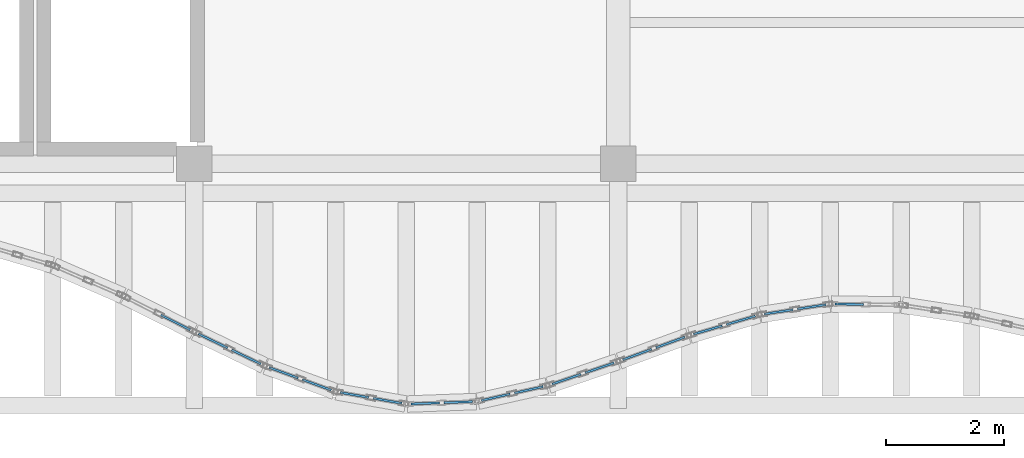
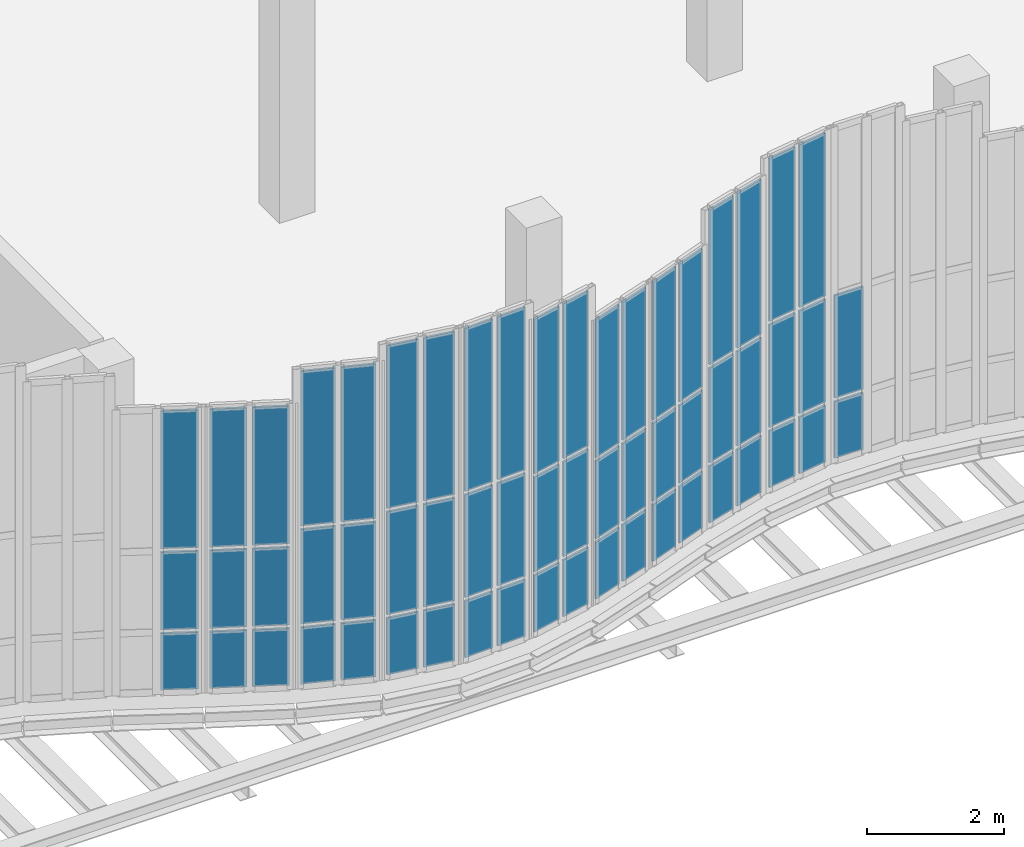
# One storey, part 54 of 76: 59 plates, 11 elements without a shape of their own.
"""IFC4 building model written with IfcOpenShell, lengths in metres."""

from ifc_helpers import new_model, si_unit, direction, frame, origin, origin_2d, place, context, subcontext, project, spatial, rectangle, extrude, material, layer, layer_set, type_object, element, aggregate, save


model = new_model("IFC4")

# Units and contexts
model_context = context("Model", 3, precision=1e-05, world=origin(), true_north=direction((0.0, 1.0)))
body_context = subcontext(model_context, "Body", "Model", "MODEL_VIEW")
ifc_project = project(units=[si_unit("LENGTHUNIT", "METRE"), si_unit("AREAUNIT", "SQUARE_METRE"), si_unit("VOLUMEUNIT", "CUBIC_METRE"), si_unit("PLANEANGLEUNIT", "RADIAN"), si_unit("MASSUNIT", "GRAM", prefix="KILO"), si_unit("THERMODYNAMICTEMPERATUREUNIT", "KELVIN"), si_unit("POWERUNIT", "WATT")], contexts=[model_context])

# Site, building, storey
site_placement = place(None, origin())
site = spatial("IfcSite", under=ifc_project, at=site_placement, CompositionType="ELEMENT")
building_placement = place(site_placement, origin())
building = spatial("IfcBuilding", under=site, at=building_placement, Name="Kaldorven Railside Theatre", CompositionType="ELEMENT")
storey_placement = place(building_placement, frame((0.0, 0.0, 14.39990234375)))
storey = spatial("IfcBuildingStorey", under=building, at=storey_placement, Name="L03", CompositionType="ELEMENT", Elevation=14.39990234375)

# Curtain wall, plates
ifc_material = material(Name="Low-E laminated solar-control glass", Category="glass")
ifc_layer_1 = layer(ifc_material, 0.159912109375, Name="Low-E laminated solar-control glass")
ifc_layer_set_1 = layer_set([ifc_layer_1], Name="Low-E laminated solar-control glass")
curtain_wall_type_1 = type_object("IfcCurtainWallType", Name="CWT-13", PredefinedType="USERDEFINED", material=ifc_layer_set_1)
curtain_wall_1_placement = place(storey_placement, origin())
curtain_wall_1 = element("IfcCurtainWall", 1, at=curtain_wall_1_placement, inside=storey, type_object=curtain_wall_type_1, Name="Sinusoidal Fluted Curtain Wall CW-L03-S30", ObjectType="FLUTED GLAZING", PredefinedType="USERDEFINED")
ifc_layer_2 = layer(ifc_material, 0.035888671875, Name="Low-E laminated solar-control glass")
ifc_layer_set_2 = layer_set([ifc_layer_2], Name="Low-E laminated solar-control glass")
plate_type = type_object("IfcPlateType", Name="CWP-CREST36", PredefinedType="CURTAIN_PANEL", material=ifc_layer_set_2)
plate_1_placement = place(storey_placement, frame((72.482177734375, 16.508056640625, 0.06005859375), z_axis=(0.0, 0.0, 1.0), x_axis=(0.89230542934, -0.451432188451, 0.0)))
plate_1 = element("IfcPlate", 2, at=plate_1_placement, type_object=plate_type, Name="CW-L03-S30 panel 2.1", PredefinedType="CURTAIN_PANEL", context=body_context, shape_type="SweptSolid", body=[
    extrude(rectangle(XDim=0.552490234375, YDim=0.035888671875, at=origin_2d()), origin(), (0.0, 0.0, 1.0), 1.010009765625),
])
plate_2_placement = place(storey_placement, frame((72.482177734375, 16.508056640625, 1.1298828125), z_axis=(0.0, 0.0, 1.0), x_axis=(0.89230542934, -0.451432188451, 0.0)))
plate_2 = element("IfcPlate", 3, at=plate_2_placement, type_object=plate_type, Name="CW-L03-S30 panel 2.2", PredefinedType="CURTAIN_PANEL", context=body_context, shape_type="SweptSolid", body=[
    extrude(rectangle(XDim=0.552490234375, YDim=0.035888671875, at=origin_2d()), origin(), (0.0, 0.0, 1.0), 1.385009765625),
])
plate_3_placement = place(storey_placement, frame((72.482177734375, 16.508056640625, 2.574951171875), z_axis=(0.0, 0.0, 1.0), x_axis=(0.89230542934, -0.451432188451, 0.0)))
plate_3 = element("IfcPlate", 4, at=plate_3_placement, type_object=plate_type, Name="CW-L03-S30 panel 2.3", PredefinedType="CURTAIN_PANEL", context=body_context, shape_type="SweptSolid", body=[
    extrude(rectangle(XDim=0.552490234375, YDim=0.035888671875, at=origin_2d()), origin(), (0.0, 0.0, 1.0), 2.455078125),
])
aggregate(curtain_wall_1, [plate_1, plate_2, plate_3])

curtain_wall_2_placement = place(storey_placement, origin())
curtain_wall_2 = element("IfcCurtainWall", 5, at=curtain_wall_2_placement, inside=storey, type_object=curtain_wall_type_1, Name="Sinusoidal Fluted Curtain Wall CW-L03-S31", ObjectType="FLUTED GLAZING", PredefinedType="USERDEFINED")
plate_4_placement = place(storey_placement, frame((73.117919921875, 16.194091796875, 0.06005859375), z_axis=(0.0, 0.0, 1.0), x_axis=(0.900789656015, -0.434255680006, 0.0)))
plate_4 = element("IfcPlate", 6, at=plate_4_placement, type_object=plate_type, Name="CW-L03-S31 panel 1.1", PredefinedType="CURTAIN_PANEL", context=body_context, shape_type="SweptSolid", body=[
    extrude(rectangle(XDim=0.546142578125, YDim=0.035888671875, at=origin_2d()), origin(), (0.0, 0.0, 1.0), 1.010009765625),
])
plate_5_placement = place(storey_placement, frame((73.117919921875, 16.194091796875, 1.1298828125), z_axis=(0.0, 0.0, 1.0), x_axis=(0.900789656015, -0.434255680006, 0.0)))
plate_5 = element("IfcPlate", 7, at=plate_5_placement, type_object=plate_type, Name="CW-L03-S31 panel 1.2", PredefinedType="CURTAIN_PANEL", context=body_context, shape_type="SweptSolid", body=[
    extrude(rectangle(XDim=0.546142578125, YDim=0.035888671875, at=origin_2d()), origin(), (0.0, 0.0, 1.0), 1.385009765625),
])
plate_6_placement = place(storey_placement, frame((73.117919921875, 16.194091796875, 2.574951171875), z_axis=(0.0, 0.0, 1.0), x_axis=(0.900789656015, -0.434255680006, 0.0)))
plate_6 = element("IfcPlate", 8, at=plate_6_placement, type_object=plate_type, Name="CW-L03-S31 panel 1.3", PredefinedType="CURTAIN_PANEL", context=body_context, shape_type="SweptSolid", body=[
    extrude(rectangle(XDim=0.546142578125, YDim=0.035888671875, at=origin_2d()), origin(), (0.0, 0.0, 1.0), 2.455078125),
])
plate_7_placement = place(storey_placement, frame((73.681884765625, 15.922119140625, 0.06005859375), z_axis=(0.0, 0.0, 1.0), x_axis=(0.900789656015, -0.434255680006, 0.0)))
plate_7 = element("IfcPlate", 9, at=plate_7_placement, type_object=plate_type, Name="CW-L03-S31 panel 2.1", PredefinedType="CURTAIN_PANEL", context=body_context, shape_type="SweptSolid", body=[
    extrude(rectangle(XDim=0.546142578125, YDim=0.035888671875, at=origin_2d()), origin(), (0.0, 0.0, 1.0), 1.010009765625),
])
plate_8_placement = place(storey_placement, frame((73.681884765625, 15.922119140625, 1.1298828125), z_axis=(0.0, 0.0, 1.0), x_axis=(0.900789656015, -0.434255680006, 0.0)))
plate_8 = element("IfcPlate", 10, at=plate_8_placement, type_object=plate_type, Name="CW-L03-S31 panel 2.2", PredefinedType="CURTAIN_PANEL", context=body_context, shape_type="SweptSolid", body=[
    extrude(rectangle(XDim=0.546142578125, YDim=0.035888671875, at=origin_2d()), origin(), (0.0, 0.0, 1.0), 1.385009765625),
])
plate_9_placement = place(storey_placement, frame((73.681884765625, 15.922119140625, 2.574951171875), z_axis=(0.0, 0.0, 1.0), x_axis=(0.900789656015, -0.434255680006, 0.0)))
plate_9 = element("IfcPlate", 11, at=plate_9_placement, type_object=plate_type, Name="CW-L03-S31 panel 2.3", PredefinedType="CURTAIN_PANEL", context=body_context, shape_type="SweptSolid", body=[
    extrude(rectangle(XDim=0.546142578125, YDim=0.035888671875, at=origin_2d()), origin(), (0.0, 0.0, 1.0), 2.455078125),
])
aggregate(curtain_wall_2, [plate_4, plate_5, plate_6, plate_7, plate_8, plate_9])

ifc_layer_3 = layer(ifc_material, 0.159912109375, Name="Low-E laminated solar-control glass")
ifc_layer_set_3 = layer_set([ifc_layer_3], Name="Low-E laminated solar-control glass")
curtain_wall_type_2 = type_object("IfcCurtainWallType", Name="CWT-14", PredefinedType="USERDEFINED", material=ifc_layer_set_3)
curtain_wall_3_placement = place(storey_placement, origin())
curtain_wall_3 = element("IfcCurtainWall", 12, at=curtain_wall_3_placement, inside=storey, type_object=curtain_wall_type_2, Name="Sinusoidal Fluted Curtain Wall CW-L03-S32", ObjectType="FLUTED GLAZING", PredefinedType="USERDEFINED")
plate_10_placement = place(storey_placement, frame((74.31884765625, 15.65283203125, 0.06005859375), z_axis=(0.0, 0.0, 1.0), x_axis=(0.939759120976, -0.341837380258, 0.0)))
plate_10 = element("IfcPlate", 13, at=plate_10_placement, type_object=plate_type, Name="CW-L03-S32 panel 1.1", PredefinedType="CURTAIN_PANEL", context=body_context, shape_type="SweptSolid", body=[
    extrude(rectangle(XDim=0.5185546875, YDim=0.035888671875, at=origin_2d()), origin(), (0.0, 0.0, 1.0), 1.010009765625),
])
plate_11_placement = place(storey_placement, frame((74.31884765625, 15.65283203125, 1.130126953125), z_axis=(0.0, 0.0, 1.0), x_axis=(0.939759120976, -0.341837380258, 0.0)))
plate_11 = element("IfcPlate", 14, at=plate_11_placement, type_object=plate_type, Name="CW-L03-S32 panel 1.2", PredefinedType="CURTAIN_PANEL", context=body_context, shape_type="SweptSolid", body=[
    extrude(rectangle(XDim=0.5185546875, YDim=0.035888671875, at=origin_2d()), origin(), (0.0, 0.0, 1.0), 1.68505859375),
])
plate_12_placement = place(storey_placement, frame((74.31884765625, 15.65283203125, 2.875244140625), z_axis=(0.0, 0.0, 1.0), x_axis=(0.939759120976, -0.341837380258, 0.0)))
plate_12 = element("IfcPlate", 15, at=plate_12_placement, type_object=plate_type, Name="CW-L03-S32 panel 1.3", PredefinedType="CURTAIN_PANEL", context=body_context, shape_type="SweptSolid", body=[
    extrude(rectangle(XDim=0.5185546875, YDim=0.035888671875, at=origin_2d()), origin(), (0.0, 0.0, 1.0), 2.7548828125),
])
plate_13_placement = place(storey_placement, frame((74.881103515625, 15.4482421875, 0.06005859375), z_axis=(0.0, 0.0, 1.0), x_axis=(0.939759120976, -0.341837380258, 0.0)))
plate_13 = element("IfcPlate", 16, at=plate_13_placement, type_object=plate_type, Name="CW-L03-S32 panel 2.1", PredefinedType="CURTAIN_PANEL", context=body_context, shape_type="SweptSolid", body=[
    extrude(rectangle(XDim=0.5185546875, YDim=0.035888671875, at=origin_2d()), origin(), (0.0, 0.0, 1.0), 1.010009765625),
])
plate_14_placement = place(storey_placement, frame((74.881103515625, 15.4482421875, 1.130126953125), z_axis=(0.0, 0.0, 1.0), x_axis=(0.939759120976, -0.341837380258, 0.0)))
plate_14 = element("IfcPlate", 17, at=plate_14_placement, type_object=plate_type, Name="CW-L03-S32 panel 2.2", PredefinedType="CURTAIN_PANEL", context=body_context, shape_type="SweptSolid", body=[
    extrude(rectangle(XDim=0.5185546875, YDim=0.035888671875, at=origin_2d()), origin(), (0.0, 0.0, 1.0), 1.68505859375),
])
plate_15_placement = place(storey_placement, frame((74.881103515625, 15.4482421875, 2.875244140625), z_axis=(0.0, 0.0, 1.0), x_axis=(0.939759120976, -0.341837380258, 0.0)))
plate_15 = element("IfcPlate", 18, at=plate_15_placement, type_object=plate_type, Name="CW-L03-S32 panel 2.3", PredefinedType="CURTAIN_PANEL", context=body_context, shape_type="SweptSolid", body=[
    extrude(rectangle(XDim=0.5185546875, YDim=0.035888671875, at=origin_2d()), origin(), (0.0, 0.0, 1.0), 2.7548828125),
])
aggregate(curtain_wall_3, [plate_10, plate_11, plate_12, plate_13, plate_14, plate_15])

ifc_layer_4 = layer(ifc_material, 0.159912109375, Name="Low-E laminated solar-control glass")
ifc_layer_set_4 = layer_set([ifc_layer_4], Name="Low-E laminated solar-control glass")
curtain_wall_type_3 = type_object("IfcCurtainWallType", Name="CWT-15", PredefinedType="USERDEFINED", material=ifc_layer_set_4)
curtain_wall_4_placement = place(storey_placement, origin())
curtain_wall_4 = element("IfcCurtainWall", 19, at=curtain_wall_4_placement, inside=storey, type_object=curtain_wall_type_3, Name="Sinusoidal Fluted Curtain Wall CW-L03-S33", ObjectType="FLUTED GLAZING", PredefinedType="USERDEFINED")
plate_16_placement = place(storey_placement, frame((75.519775390625, 15.276123046875, 0.06005859375), z_axis=(0.0, 0.0, 1.0), x_axis=(0.984876781697, -0.173256240507, 0.0)))
plate_16 = element("IfcPlate", 20, at=plate_16_placement, type_object=plate_type, Name="CW-L03-S33 panel 1.1", PredefinedType="CURTAIN_PANEL", context=body_context, shape_type="SweptSolid", body=[
    extrude(rectangle(XDim=0.4892578125, YDim=0.035888671875, at=origin_2d()), origin(), (0.0, 0.0, 1.0), 1.010009765625),
])
plate_17_placement = place(storey_placement, frame((75.519775390625, 15.276123046875, 1.130126953125), z_axis=(0.0, 0.0, 1.0), x_axis=(0.984876781697, -0.173256240507, 0.0)))
plate_17 = element("IfcPlate", 21, at=plate_17_placement, type_object=plate_type, Name="CW-L03-S33 panel 1.2", PredefinedType="CURTAIN_PANEL", context=body_context, shape_type="SweptSolid", body=[
    extrude(rectangle(XDim=0.4892578125, YDim=0.035888671875, at=origin_2d()), origin(), (0.0, 0.0, 1.0), 1.830078125),
])
plate_18_placement = place(storey_placement, frame((75.519775390625, 15.276123046875, 3.020263671875), z_axis=(0.0, 0.0, 1.0), x_axis=(0.984876781697, -0.173256240507, 0.0)))
plate_18 = element("IfcPlate", 22, at=plate_18_placement, type_object=plate_type, Name="CW-L03-S33 panel 1.3", PredefinedType="CURTAIN_PANEL", context=body_context, shape_type="SweptSolid", body=[
    extrude(rectangle(XDim=0.4892578125, YDim=0.035888671875, at=origin_2d()), origin(), (0.0, 0.0, 1.0), 2.89990234375),
])
plate_19_placement = place(storey_placement, frame((76.080322265625, 15.177490234375, 0.06005859375), z_axis=(0.0, 0.0, 1.0), x_axis=(0.984876781697, -0.173256240507, 0.0)))
plate_19 = element("IfcPlate", 23, at=plate_19_placement, type_object=plate_type, Name="CW-L03-S33 panel 2.1", PredefinedType="CURTAIN_PANEL", context=body_context, shape_type="SweptSolid", body=[
    extrude(rectangle(XDim=0.4892578125, YDim=0.035888671875, at=origin_2d()), origin(), (0.0, 0.0, 1.0), 1.010009765625),
])
plate_20_placement = place(storey_placement, frame((76.080322265625, 15.177490234375, 1.130126953125), z_axis=(0.0, 0.0, 1.0), x_axis=(0.984876781697, -0.173256240507, 0.0)))
plate_20 = element("IfcPlate", 24, at=plate_20_placement, type_object=plate_type, Name="CW-L03-S33 panel 2.2", PredefinedType="CURTAIN_PANEL", context=body_context, shape_type="SweptSolid", body=[
    extrude(rectangle(XDim=0.4892578125, YDim=0.035888671875, at=origin_2d()), origin(), (0.0, 0.0, 1.0), 1.830078125),
])
plate_21_placement = place(storey_placement, frame((76.080322265625, 15.177490234375, 3.020263671875), z_axis=(0.0, 0.0, 1.0), x_axis=(0.984876781697, -0.173256240507, 0.0)))
plate_21 = element("IfcPlate", 25, at=plate_21_placement, type_object=plate_type, Name="CW-L03-S33 panel 2.3", PredefinedType="CURTAIN_PANEL", context=body_context, shape_type="SweptSolid", body=[
    extrude(rectangle(XDim=0.4892578125, YDim=0.035888671875, at=origin_2d()), origin(), (0.0, 0.0, 1.0), 2.89990234375),
])
aggregate(curtain_wall_4, [plate_16, plate_17, plate_18, plate_19, plate_20, plate_21])

ifc_layer_5 = layer(ifc_material, 0.159912109375, Name="Low-E laminated solar-control glass")
ifc_layer_set_5 = layer_set([ifc_layer_5], Name="Low-E laminated solar-control glass")
curtain_wall_type_4 = type_object("IfcCurtainWallType", Name="CWT-10", PredefinedType="USERDEFINED", material=ifc_layer_set_5)
curtain_wall_5_placement = place(storey_placement, origin())
curtain_wall_5 = element("IfcCurtainWall", 26, at=curtain_wall_5_placement, inside=storey, type_object=curtain_wall_type_4, Name="Sinusoidal Fluted Curtain Wall CW-L03-S34", ObjectType="FLUTED GLAZING", PredefinedType="USERDEFINED")
plate_22_placement = place(storey_placement, frame((76.719970703125, 15.133056640625, 0.06005859375), z_axis=(0.0, 0.0, 1.0), x_axis=(0.999313121546, 0.037057861594, 0.0)))
plate_22 = element("IfcPlate", 27, at=plate_22_placement, type_object=plate_type, Name="CW-L03-S34 panel 1.1", PredefinedType="CURTAIN_PANEL", context=body_context, shape_type="SweptSolid", body=[
    extrude(rectangle(XDim=0.48046875, YDim=0.035888671875, at=origin_2d()), origin(), (0.0, 0.0, 1.0), 1.010009765625),
])
plate_23_placement = place(storey_placement, frame((76.719970703125, 15.133056640625, 1.130126953125), z_axis=(0.0, 0.0, 1.0), x_axis=(0.999313121546, 0.037057861594, 0.0)))
plate_23 = element("IfcPlate", 28, at=plate_23_placement, type_object=plate_type, Name="CW-L03-S34 panel 1.2", PredefinedType="CURTAIN_PANEL", context=body_context, shape_type="SweptSolid", body=[
    extrude(rectangle(XDim=0.48046875, YDim=0.035888671875, at=origin_2d()), origin(), (0.0, 0.0, 1.0), 1.830078125),
])
plate_24_placement = place(storey_placement, frame((76.719970703125, 15.133056640625, 3.020263671875), z_axis=(0.0, 0.0, 1.0), x_axis=(0.999313121546, 0.037057861594, 0.0)))
plate_24 = element("IfcPlate", 29, at=plate_24_placement, type_object=plate_type, Name="CW-L03-S34 panel 1.3", PredefinedType="CURTAIN_PANEL", context=body_context, shape_type="SweptSolid", body=[
    extrude(rectangle(XDim=0.48046875, YDim=0.035888671875, at=origin_2d()), origin(), (0.0, 0.0, 1.0), 2.89990234375),
])
plate_25_placement = place(storey_placement, frame((77.280029296875, 15.15380859375, 0.06005859375), z_axis=(0.0, 0.0, 1.0), x_axis=(0.999313121546, 0.037057861594, 0.0)))
plate_25 = element("IfcPlate", 30, at=plate_25_placement, type_object=plate_type, Name="CW-L03-S34 panel 2.1", PredefinedType="CURTAIN_PANEL", context=body_context, shape_type="SweptSolid", body=[
    extrude(rectangle(XDim=0.48046875, YDim=0.035888671875, at=origin_2d()), origin(), (0.0, 0.0, 1.0), 1.010009765625),
])
plate_26_placement = place(storey_placement, frame((77.280029296875, 15.15380859375, 1.130126953125), z_axis=(0.0, 0.0, 1.0), x_axis=(0.999313121546, 0.037057861594, 0.0)))
plate_26 = element("IfcPlate", 31, at=plate_26_placement, type_object=plate_type, Name="CW-L03-S34 panel 2.2", PredefinedType="CURTAIN_PANEL", context=body_context, shape_type="SweptSolid", body=[
    extrude(rectangle(XDim=0.48046875, YDim=0.035888671875, at=origin_2d()), origin(), (0.0, 0.0, 1.0), 1.830078125),
])
plate_27_placement = place(storey_placement, frame((77.280029296875, 15.15380859375, 3.020263671875), z_axis=(0.0, 0.0, 1.0), x_axis=(0.999313121546, 0.037057861594, 0.0)))
plate_27 = element("IfcPlate", 32, at=plate_27_placement, type_object=plate_type, Name="CW-L03-S34 panel 2.3", PredefinedType="CURTAIN_PANEL", context=body_context, shape_type="SweptSolid", body=[
    extrude(rectangle(XDim=0.48046875, YDim=0.035888671875, at=origin_2d()), origin(), (0.0, 0.0, 1.0), 2.89990234375),
])
aggregate(curtain_wall_5, [plate_22, plate_23, plate_24, plate_25, plate_26, plate_27])

ifc_layer_6 = layer(ifc_material, 0.159912109375, Name="Low-E laminated solar-control glass")
ifc_layer_set_6 = layer_set([ifc_layer_6], Name="Low-E laminated solar-control glass")
curtain_wall_type_5 = type_object("IfcCurtainWallType", Name="CWT-09", PredefinedType="USERDEFINED", material=ifc_layer_set_6)
curtain_wall_6_placement = place(storey_placement, origin())
curtain_wall_6 = element("IfcCurtainWall", 33, at=curtain_wall_6_placement, inside=storey, type_object=curtain_wall_type_5, Name="Sinusoidal Fluted Curtain Wall CW-L03-S35", ObjectType="FLUTED GLAZING", PredefinedType="USERDEFINED")
plate_28_placement = place(storey_placement, frame((77.91943359375, 15.237548828125, 0.06005859375), z_axis=(0.0, 0.0, 1.0), x_axis=(0.975679356911, 0.219202628857, 0.0)))
plate_28 = element("IfcPlate", 34, at=plate_28_placement, type_object=plate_type, Name="CW-L03-S35 panel 1.1", PredefinedType="CURTAIN_PANEL", context=body_context, shape_type="SweptSolid", body=[
    extrude(rectangle(XDim=0.494873046875, YDim=0.035888671875, at=origin_2d()), origin(), (0.0, 0.0, 1.0), 1.010009765625),
])
plate_29_placement = place(storey_placement, frame((77.91943359375, 15.237548828125, 1.130126953125), z_axis=(0.0, 0.0, 1.0), x_axis=(0.975679356911, 0.219202628857, 0.0)))
plate_29 = element("IfcPlate", 35, at=plate_29_placement, type_object=plate_type, Name="CW-L03-S35 panel 1.2", PredefinedType="CURTAIN_PANEL", context=body_context, shape_type="SweptSolid", body=[
    extrude(rectangle(XDim=0.494873046875, YDim=0.035888671875, at=origin_2d()), origin(), (0.0, 0.0, 1.0), 1.68505859375),
])
plate_30_placement = place(storey_placement, frame((77.91943359375, 15.237548828125, 2.875244140625), z_axis=(0.0, 0.0, 1.0), x_axis=(0.975679356911, 0.219202628857, 0.0)))
plate_30 = element("IfcPlate", 36, at=plate_30_placement, type_object=plate_type, Name="CW-L03-S35 panel 1.3", PredefinedType="CURTAIN_PANEL", context=body_context, shape_type="SweptSolid", body=[
    extrude(rectangle(XDim=0.494873046875, YDim=0.035888671875, at=origin_2d()), origin(), (0.0, 0.0, 1.0), 2.7548828125),
])
plate_31_placement = place(storey_placement, frame((78.48046875, 15.363525390625, 0.06005859375), z_axis=(0.0, 0.0, 1.0), x_axis=(0.975679356911, 0.219202628857, 0.0)))
plate_31 = element("IfcPlate", 37, at=plate_31_placement, type_object=plate_type, Name="CW-L03-S35 panel 2.1", PredefinedType="CURTAIN_PANEL", context=body_context, shape_type="SweptSolid", body=[
    extrude(rectangle(XDim=0.494873046875, YDim=0.035888671875, at=origin_2d()), origin(), (0.0, 0.0, 1.0), 1.010009765625),
])
plate_32_placement = place(storey_placement, frame((78.48046875, 15.363525390625, 1.130126953125), z_axis=(0.0, 0.0, 1.0), x_axis=(0.975679356911, 0.219202628857, 0.0)))
plate_32 = element("IfcPlate", 38, at=plate_32_placement, type_object=plate_type, Name="CW-L03-S35 panel 2.2", PredefinedType="CURTAIN_PANEL", context=body_context, shape_type="SweptSolid", body=[
    extrude(rectangle(XDim=0.494873046875, YDim=0.035888671875, at=origin_2d()), origin(), (0.0, 0.0, 1.0), 1.68505859375),
])
plate_33_placement = place(storey_placement, frame((78.48046875, 15.363525390625, 2.875244140625), z_axis=(0.0, 0.0, 1.0), x_axis=(0.975679356911, 0.219202628857, 0.0)))
plate_33 = element("IfcPlate", 39, at=plate_33_placement, type_object=plate_type, Name="CW-L03-S35 panel 2.3", PredefinedType="CURTAIN_PANEL", context=body_context, shape_type="SweptSolid", body=[
    extrude(rectangle(XDim=0.494873046875, YDim=0.035888671875, at=origin_2d()), origin(), (0.0, 0.0, 1.0), 2.7548828125),
])
aggregate(curtain_wall_6, [plate_28, plate_29, plate_30, plate_31, plate_32, plate_33])

ifc_layer_7 = layer(ifc_material, 0.159912109375, Name="Low-E laminated solar-control glass")
ifc_layer_set_7 = layer_set([ifc_layer_7], Name="Low-E laminated solar-control glass")
curtain_wall_type_6 = type_object("IfcCurtainWallType", Name="CWT-16", PredefinedType="USERDEFINED", material=ifc_layer_set_7)
curtain_wall_7_placement = place(storey_placement, origin())
curtain_wall_7 = element("IfcCurtainWall", 40, at=curtain_wall_7_placement, inside=storey, type_object=curtain_wall_type_6, Name="Sinusoidal Fluted Curtain Wall CW-L03-S36", ObjectType="FLUTED GLAZING", PredefinedType="USERDEFINED")
plate_34_placement = place(storey_placement, frame((79.118896484375, 15.544677734375, 0.06005859375), z_axis=(0.0, 0.0, 1.0), x_axis=(0.946025386444, 0.324092530311, 0.0)))
plate_34 = element("IfcPlate", 41, at=plate_34_placement, type_object=plate_type, Name="CW-L03-S36 panel 1.1", PredefinedType="CURTAIN_PANEL", context=body_context, shape_type="SweptSolid", body=[
    extrude(rectangle(XDim=0.51416015625, YDim=0.035888671875, at=origin_2d()), origin(), (0.0, 0.0, 1.0), 1.010009765625),
])
plate_35_placement = place(storey_placement, frame((79.118896484375, 15.544677734375, 1.1298828125), z_axis=(0.0, 0.0, 1.0), x_axis=(0.946025386444, 0.324092530311, 0.0)))
plate_35 = element("IfcPlate", 42, at=plate_35_placement, type_object=plate_type, Name="CW-L03-S36 panel 1.2", PredefinedType="CURTAIN_PANEL", context=body_context, shape_type="SweptSolid", body=[
    extrude(rectangle(XDim=0.51416015625, YDim=0.035888671875, at=origin_2d()), origin(), (0.0, 0.0, 1.0), 1.385009765625),
])
plate_36_placement = place(storey_placement, frame((79.118896484375, 15.544677734375, 2.574951171875), z_axis=(0.0, 0.0, 1.0), x_axis=(0.946025386444, 0.324092530311, 0.0)))
plate_36 = element("IfcPlate", 43, at=plate_36_placement, type_object=plate_type, Name="CW-L03-S36 panel 1.3", PredefinedType="CURTAIN_PANEL", context=body_context, shape_type="SweptSolid", body=[
    extrude(rectangle(XDim=0.51416015625, YDim=0.035888671875, at=origin_2d()), origin(), (0.0, 0.0, 1.0), 2.455078125),
])
plate_37_placement = place(storey_placement, frame((79.68115234375, 15.737060546875, 0.06005859375), z_axis=(0.0, 0.0, 1.0), x_axis=(0.946025386444, 0.324092530311, 0.0)))
plate_37 = element("IfcPlate", 44, at=plate_37_placement, type_object=plate_type, Name="CW-L03-S36 panel 2.1", PredefinedType="CURTAIN_PANEL", context=body_context, shape_type="SweptSolid", body=[
    extrude(rectangle(XDim=0.51416015625, YDim=0.035888671875, at=origin_2d()), origin(), (0.0, 0.0, 1.0), 1.010009765625),
])
plate_38_placement = place(storey_placement, frame((79.68115234375, 15.737060546875, 1.1298828125), z_axis=(0.0, 0.0, 1.0), x_axis=(0.946025386444, 0.324092530311, 0.0)))
plate_38 = element("IfcPlate", 45, at=plate_38_placement, type_object=plate_type, Name="CW-L03-S36 panel 2.2", PredefinedType="CURTAIN_PANEL", context=body_context, shape_type="SweptSolid", body=[
    extrude(rectangle(XDim=0.51416015625, YDim=0.035888671875, at=origin_2d()), origin(), (0.0, 0.0, 1.0), 1.385009765625),
])
plate_39_placement = place(storey_placement, frame((79.68115234375, 15.737060546875, 2.574951171875), z_axis=(0.0, 0.0, 1.0), x_axis=(0.946025386444, 0.324092530311, 0.0)))
plate_39 = element("IfcPlate", 46, at=plate_39_placement, type_object=plate_type, Name="CW-L03-S36 panel 2.3", PredefinedType="CURTAIN_PANEL", context=body_context, shape_type="SweptSolid", body=[
    extrude(rectangle(XDim=0.51416015625, YDim=0.035888671875, at=origin_2d()), origin(), (0.0, 0.0, 1.0), 2.455078125),
])
aggregate(curtain_wall_7, [plate_34, plate_35, plate_36, plate_37, plate_38, plate_39])

ifc_layer_8 = layer(ifc_material, 0.159912109375, Name="Low-E laminated solar-control glass")
ifc_layer_set_8 = layer_set([ifc_layer_8], Name="Low-E laminated solar-control glass")
curtain_wall_type_7 = type_object("IfcCurtainWallType", Name="CWT-08", PredefinedType="USERDEFINED", material=ifc_layer_set_8)
curtain_wall_8_placement = place(storey_placement, origin())
curtain_wall_8 = element("IfcCurtainWall", 47, at=curtain_wall_8_placement, inside=storey, type_object=curtain_wall_type_7, Name="Sinusoidal Fluted Curtain Wall CW-L03-S37", ObjectType="FLUTED GLAZING", PredefinedType="USERDEFINED")
plate_40_placement = place(storey_placement, frame((80.31884765625, 15.962890625, 0.06005859375), z_axis=(0.0, 0.0, 1.0), x_axis=(0.939154260097, 0.343495670631, 0.0)))
plate_40 = element("IfcPlate", 48, at=plate_40_placement, type_object=plate_type, Name="CW-L03-S37 panel 1.1", PredefinedType="CURTAIN_PANEL", context=body_context, shape_type="SweptSolid", body=[
    extrude(rectangle(XDim=0.518798828125, YDim=0.035888671875, at=origin_2d()), origin(), (0.0, 0.0, 1.0), 1.010009765625),
])
plate_41_placement = place(storey_placement, frame((80.31884765625, 15.962890625, 1.1298828125), z_axis=(0.0, 0.0, 1.0), x_axis=(0.939154260097, 0.343495670631, 0.0)))
plate_41 = element("IfcPlate", 49, at=plate_41_placement, type_object=plate_type, Name="CW-L03-S37 panel 1.2", PredefinedType="CURTAIN_PANEL", context=body_context, shape_type="SweptSolid", body=[
    extrude(rectangle(XDim=0.518798828125, YDim=0.035888671875, at=origin_2d()), origin(), (0.0, 0.0, 1.0), 1.385009765625),
])
plate_42_placement = place(storey_placement, frame((80.31884765625, 15.962890625, 2.574951171875), z_axis=(0.0, 0.0, 1.0), x_axis=(0.939154260097, 0.343495670631, 0.0)))
plate_42 = element("IfcPlate", 50, at=plate_42_placement, type_object=plate_type, Name="CW-L03-S37 panel 1.3", PredefinedType="CURTAIN_PANEL", context=body_context, shape_type="SweptSolid", body=[
    extrude(rectangle(XDim=0.518798828125, YDim=0.035888671875, at=origin_2d()), origin(), (0.0, 0.0, 1.0), 2.455078125),
])
plate_43_placement = place(storey_placement, frame((80.881103515625, 16.168701171875, 0.06005859375), z_axis=(0.0, 0.0, 1.0), x_axis=(0.939154260097, 0.343495670631, 0.0)))
plate_43 = element("IfcPlate", 51, at=plate_43_placement, type_object=plate_type, Name="CW-L03-S37 panel 2.1", PredefinedType="CURTAIN_PANEL", context=body_context, shape_type="SweptSolid", body=[
    extrude(rectangle(XDim=0.518798828125, YDim=0.035888671875, at=origin_2d()), origin(), (0.0, 0.0, 1.0), 1.010009765625),
])
plate_44_placement = place(storey_placement, frame((80.881103515625, 16.168701171875, 1.1298828125), z_axis=(0.0, 0.0, 1.0), x_axis=(0.939154260097, 0.343495670631, 0.0)))
plate_44 = element("IfcPlate", 52, at=plate_44_placement, type_object=plate_type, Name="CW-L03-S37 panel 2.2", PredefinedType="CURTAIN_PANEL", context=body_context, shape_type="SweptSolid", body=[
    extrude(rectangle(XDim=0.518798828125, YDim=0.035888671875, at=origin_2d()), origin(), (0.0, 0.0, 1.0), 1.385009765625),
])
plate_45_placement = place(storey_placement, frame((80.881103515625, 16.168701171875, 2.574951171875), z_axis=(0.0, 0.0, 1.0), x_axis=(0.939154260097, 0.343495670631, 0.0)))
plate_45 = element("IfcPlate", 53, at=plate_45_placement, type_object=plate_type, Name="CW-L03-S37 panel 2.3", PredefinedType="CURTAIN_PANEL", context=body_context, shape_type="SweptSolid", body=[
    extrude(rectangle(XDim=0.518798828125, YDim=0.035888671875, at=origin_2d()), origin(), (0.0, 0.0, 1.0), 2.455078125),
])
aggregate(curtain_wall_8, [plate_40, plate_41, plate_42, plate_43, plate_44, plate_45])

ifc_layer_9 = layer(ifc_material, 0.159912109375, Name="Low-E laminated solar-control glass")
ifc_layer_set_9 = layer_set([ifc_layer_9], Name="Low-E laminated solar-control glass")
curtain_wall_type_8 = type_object("IfcCurtainWallType", Name="CWT-17", PredefinedType="USERDEFINED", material=ifc_layer_set_9)
curtain_wall_9_placement = place(storey_placement, origin())
curtain_wall_9 = element("IfcCurtainWall", 54, at=curtain_wall_9_placement, inside=storey, type_object=curtain_wall_type_8, Name="Sinusoidal Fluted Curtain Wall CW-L03-S38", ObjectType="FLUTED GLAZING", PredefinedType="USERDEFINED")
plate_46_placement = place(storey_placement, frame((81.519287109375, 16.379150390625, 0.06005859375), z_axis=(0.0, 0.0, 1.0), x_axis=(0.959417682773, 0.281988847266, 0.0)))
plate_46 = element("IfcPlate", 55, at=plate_46_placement, type_object=plate_type, Name="CW-L03-S38 panel 1.1", PredefinedType="CURTAIN_PANEL", context=body_context, shape_type="SweptSolid", body=[
    extrude(rectangle(XDim=0.50537109375, YDim=0.035888671875, at=origin_2d()), origin(), (0.0, 0.0, 1.0), 1.010009765625),
])
plate_47_placement = place(storey_placement, frame((81.519287109375, 16.379150390625, 1.130126953125), z_axis=(0.0, 0.0, 1.0), x_axis=(0.959417682773, 0.281988847266, 0.0)))
plate_47 = element("IfcPlate", 56, at=plate_47_placement, type_object=plate_type, Name="CW-L03-S38 panel 1.2", PredefinedType="CURTAIN_PANEL", context=body_context, shape_type="SweptSolid", body=[
    extrude(rectangle(XDim=0.50537109375, YDim=0.035888671875, at=origin_2d()), origin(), (0.0, 0.0, 1.0), 1.68505859375),
])
plate_48_placement = place(storey_placement, frame((81.519287109375, 16.379150390625, 2.875244140625), z_axis=(0.0, 0.0, 1.0), x_axis=(0.959417682773, 0.281988847266, 0.0)))
plate_48 = element("IfcPlate", 57, at=plate_48_placement, type_object=plate_type, Name="CW-L03-S38 panel 1.3", PredefinedType="CURTAIN_PANEL", context=body_context, shape_type="SweptSolid", body=[
    extrude(rectangle(XDim=0.50537109375, YDim=0.035888671875, at=origin_2d()), origin(), (0.0, 0.0, 1.0), 2.7548828125),
])
plate_49_placement = place(storey_placement, frame((82.080810546875, 16.544189453125, 0.06005859375), z_axis=(0.0, 0.0, 1.0), x_axis=(0.959417682773, 0.281988847266, 0.0)))
plate_49 = element("IfcPlate", 58, at=plate_49_placement, type_object=plate_type, Name="CW-L03-S38 panel 2.1", PredefinedType="CURTAIN_PANEL", context=body_context, shape_type="SweptSolid", body=[
    extrude(rectangle(XDim=0.50537109375, YDim=0.035888671875, at=origin_2d()), origin(), (0.0, 0.0, 1.0), 1.010009765625),
])
plate_50_placement = place(storey_placement, frame((82.080810546875, 16.544189453125, 1.130126953125), z_axis=(0.0, 0.0, 1.0), x_axis=(0.959417682773, 0.281988847266, 0.0)))
plate_50 = element("IfcPlate", 59, at=plate_50_placement, type_object=plate_type, Name="CW-L03-S38 panel 2.2", PredefinedType="CURTAIN_PANEL", context=body_context, shape_type="SweptSolid", body=[
    extrude(rectangle(XDim=0.50537109375, YDim=0.035888671875, at=origin_2d()), origin(), (0.0, 0.0, 1.0), 1.68505859375),
])
plate_51_placement = place(storey_placement, frame((82.080810546875, 16.544189453125, 2.875244140625), z_axis=(0.0, 0.0, 1.0), x_axis=(0.959417682773, 0.281988847266, 0.0)))
plate_51 = element("IfcPlate", 60, at=plate_51_placement, type_object=plate_type, Name="CW-L03-S38 panel 2.3", PredefinedType="CURTAIN_PANEL", context=body_context, shape_type="SweptSolid", body=[
    extrude(rectangle(XDim=0.50537109375, YDim=0.035888671875, at=origin_2d()), origin(), (0.0, 0.0, 1.0), 2.7548828125),
])
aggregate(curtain_wall_9, [plate_46, plate_47, plate_48, plate_49, plate_50, plate_51])

curtain_wall_10_placement = place(storey_placement, origin())
curtain_wall_10 = element("IfcCurtainWall", 61, at=curtain_wall_10_placement, inside=storey, type_object=curtain_wall_type_3, Name="Sinusoidal Fluted Curtain Wall CW-L03-S39", ObjectType="FLUTED GLAZING", PredefinedType="USERDEFINED")
plate_52_placement = place(storey_placement, frame((82.7197265625, 16.686767578125, 0.06005859375), z_axis=(0.0, 0.0, 1.0), x_axis=(0.988546274973, 0.150918064648, 0.0)))
plate_52 = element("IfcPlate", 62, at=plate_52_placement, type_object=plate_type, Name="CW-L03-S39 panel 1.1", PredefinedType="CURTAIN_PANEL", context=body_context, shape_type="SweptSolid", body=[
    extrude(rectangle(XDim=0.487060546875, YDim=0.035888671875, at=origin_2d()), origin(), (0.0, 0.0, 1.0), 1.010009765625),
])
plate_53_placement = place(storey_placement, frame((82.7197265625, 16.686767578125, 1.130126953125), z_axis=(0.0, 0.0, 1.0), x_axis=(0.988546274973, 0.150918064648, 0.0)))
plate_53 = element("IfcPlate", 63, at=plate_53_placement, type_object=plate_type, Name="CW-L03-S39 panel 1.2", PredefinedType="CURTAIN_PANEL", context=body_context, shape_type="SweptSolid", body=[
    extrude(rectangle(XDim=0.487060546875, YDim=0.035888671875, at=origin_2d()), origin(), (0.0, 0.0, 1.0), 1.830078125),
])
plate_54_placement = place(storey_placement, frame((82.7197265625, 16.686767578125, 3.020263671875), z_axis=(0.0, 0.0, 1.0), x_axis=(0.988546274973, 0.150918064648, 0.0)))
plate_54 = element("IfcPlate", 64, at=plate_54_placement, type_object=plate_type, Name="CW-L03-S39 panel 1.3", PredefinedType="CURTAIN_PANEL", context=body_context, shape_type="SweptSolid", body=[
    extrude(rectangle(XDim=0.487060546875, YDim=0.035888671875, at=origin_2d()), origin(), (0.0, 0.0, 1.0), 2.89990234375),
])
plate_55_placement = place(storey_placement, frame((83.2802734375, 16.7724609375, 0.06005859375), z_axis=(0.0, 0.0, 1.0), x_axis=(0.988546274973, 0.150918064648, 0.0)))
plate_55 = element("IfcPlate", 65, at=plate_55_placement, type_object=plate_type, Name="CW-L03-S39 panel 2.1", PredefinedType="CURTAIN_PANEL", context=body_context, shape_type="SweptSolid", body=[
    extrude(rectangle(XDim=0.487060546875, YDim=0.035888671875, at=origin_2d()), origin(), (0.0, 0.0, 1.0), 1.010009765625),
])
plate_56_placement = place(storey_placement, frame((83.2802734375, 16.7724609375, 1.130126953125), z_axis=(0.0, 0.0, 1.0), x_axis=(0.988546274973, 0.150918064648, 0.0)))
plate_56 = element("IfcPlate", 66, at=plate_56_placement, type_object=plate_type, Name="CW-L03-S39 panel 2.2", PredefinedType="CURTAIN_PANEL", context=body_context, shape_type="SweptSolid", body=[
    extrude(rectangle(XDim=0.487060546875, YDim=0.035888671875, at=origin_2d()), origin(), (0.0, 0.0, 1.0), 1.830078125),
])
plate_57_placement = place(storey_placement, frame((83.2802734375, 16.7724609375, 3.020263671875), z_axis=(0.0, 0.0, 1.0), x_axis=(0.988546274973, 0.150918064648, 0.0)))
plate_57 = element("IfcPlate", 67, at=plate_57_placement, type_object=plate_type, Name="CW-L03-S39 panel 2.3", PredefinedType="CURTAIN_PANEL", context=body_context, shape_type="SweptSolid", body=[
    extrude(rectangle(XDim=0.487060546875, YDim=0.035888671875, at=origin_2d()), origin(), (0.0, 0.0, 1.0), 2.89990234375),
])
aggregate(curtain_wall_10, [plate_52, plate_53, plate_54, plate_55, plate_56, plate_57])

curtain_wall_11_placement = place(storey_placement, origin())
curtain_wall_11 = element("IfcCurtainWall", 68, at=curtain_wall_11_placement, inside=storey, type_object=curtain_wall_type_4, Name="Sinusoidal Fluted Curtain Wall CW-L03-S40", ObjectType="FLUTED GLAZING", PredefinedType="USERDEFINED")
plate_58_placement = place(storey_placement, frame((83.919921875, 16.81689453125, 0.06005859375), z_axis=(0.0, 0.0, 1.0), x_axis=(0.999904333174, -0.013832009936, 0.0)))
plate_58 = element("IfcPlate", 69, at=plate_58_placement, type_object=plate_type, Name="CW-L03-S40 panel 1.1", PredefinedType="CURTAIN_PANEL", context=body_context, shape_type="SweptSolid", body=[
    extrude(rectangle(XDim=0.47998046875, YDim=0.035888671875, at=origin_2d()), origin(), (0.0, 0.0, 1.0), 1.010009765625),
])
plate_59_placement = place(storey_placement, frame((83.919921875, 16.81689453125, 1.130126953125), z_axis=(0.0, 0.0, 1.0), x_axis=(0.999904333174, -0.013832009936, 0.0)))
plate_59 = element("IfcPlate", 70, at=plate_59_placement, type_object=plate_type, Name="CW-L03-S40 panel 1.2", PredefinedType="CURTAIN_PANEL", context=body_context, shape_type="SweptSolid", body=[
    extrude(rectangle(XDim=0.47998046875, YDim=0.035888671875, at=origin_2d()), origin(), (0.0, 0.0, 1.0), 1.830078125),
])
aggregate(curtain_wall_11, [plate_58, plate_59])

save(model, "model.ifc")
